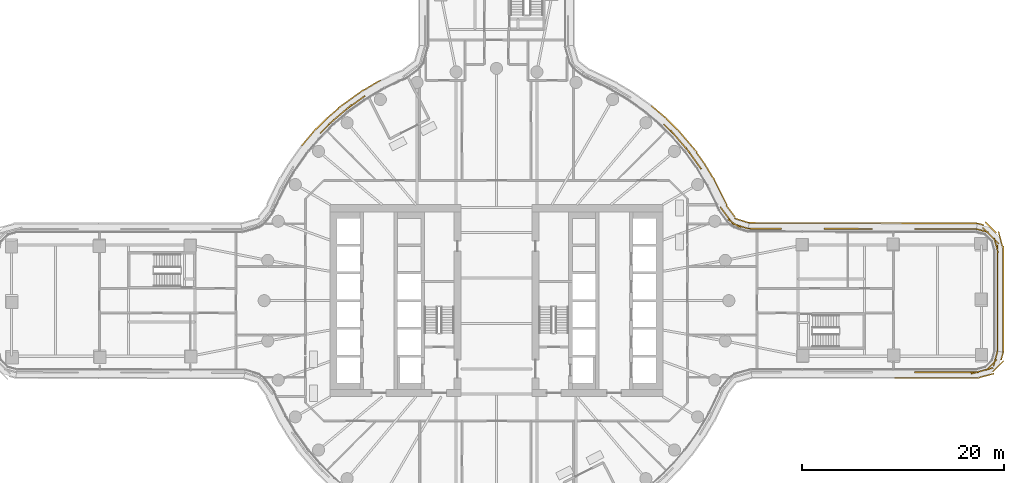
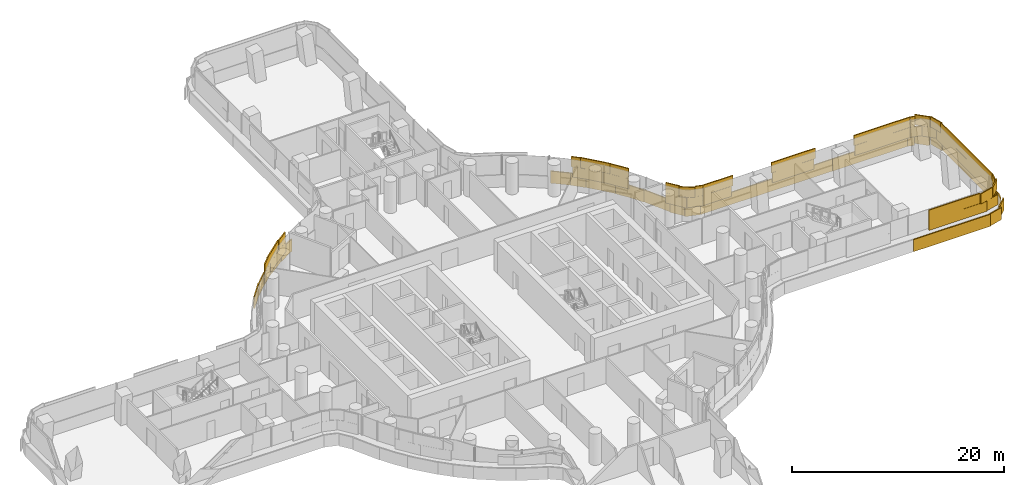
# One storey, part 29 of 32: 6 coverings.
"""IFC4 building model written with IfcOpenShell, lengths in metres."""

from ifc_helpers import new_model, si_unit, direction, frame, origin, origin_2d, place, context, subcontext, project, spatial, rectangle, extrude, material, layer, layer_set, type_object, element, save


model = new_model("IFC4")

# Units and contexts
model_context = context("Model", 3, precision=1e-05, world=origin(), true_north=direction((0.0, 1.0)))
body_context = subcontext(model_context, "Body", "Model", "MODEL_VIEW")
ifc_project = project(units=[si_unit("LENGTHUNIT", "METRE"), si_unit("AREAUNIT", "SQUARE_METRE"), si_unit("VOLUMEUNIT", "CUBIC_METRE"), si_unit("PLANEANGLEUNIT", "RADIAN"), si_unit("MASSUNIT", "GRAM", prefix="KILO")], contexts=[model_context])

# Site, building, storey
site_placement = place(None, origin())
site = spatial("IfcSite", under=ifc_project, at=site_placement, CompositionType="ELEMENT")
building_placement = place(site_placement, origin())
building = spatial("IfcBuilding", under=site, at=building_placement, Name="Tamarind Cross Interchange Tower", CompositionType="ELEMENT")
storey_placement = place(building_placement, frame((0.0, 0.0, 34.0)))
storey = spatial("IfcBuildingStorey", under=building, at=storey_placement, Name="L06", CompositionType="ELEMENT", Elevation=34.0)

# Coverings
ifc_material = material(Name="Terracotta", Category="masonry")
ifc_layer = layer(ifc_material, 0.1201171875)
ifc_layer_set = layer_set([ifc_layer], Name="Terracotta")
covering_type = type_object("IfcCoveringType", Name="Terracotta baguette screen unit", PredefinedType="MOLDING", material=ifc_layer_set)
covering_1_placement = place(storey_placement, origin())
element("IfcCovering", 1, at=covering_1_placement, inside=storey, type_object=covering_type, Name="SCR-L06-08-01", PredefinedType="MOLDING", context=body_context, shape_type="SweptSolid", body=[
    extrude(rectangle(XDim=0.319091796875, YDim=0.1201171875, at=origin_2d()), frame((41.566650390625, -7.090087890625, 1.404052734375), z_axis=(0.0, 0.0, 1.0), x_axis=(1.0, 0.0, 0.0)), (0.0, 0.0, 1.0), 1.1669921875),
    extrude(rectangle(XDim=1.52001953125, YDim=0.1201171875, at=origin_2d()), frame((42.47119140625, -7.090087890625, 1.404052734375), z_axis=(0.0, 0.0, 1.0), x_axis=(1.0, 0.0, 0.0)), (0.0, 0.0, 1.0), 1.1669921875),
    extrude(rectangle(XDim=1.52001953125, YDim=0.1201171875, at=origin_2d()), frame((43.97119140625, -7.090087890625, 1.404052734375), z_axis=(0.0, 0.0, 1.0), x_axis=(1.0, 0.0, 0.0)), (0.0, 0.0, 1.0), 1.1669921875),
    extrude(rectangle(XDim=1.52001953125, YDim=0.1201171875, at=origin_2d()), frame((45.47119140625, -7.090087890625, 1.404052734375), z_axis=(0.0, 0.0, 1.0), x_axis=(1.0, 0.0, 0.0)), (0.0, 0.0, 1.0), 1.1669921875),
    extrude(rectangle(XDim=1.52001953125, YDim=0.1201171875, at=origin_2d()), frame((46.97119140625, -7.090087890625, 1.404052734375), z_axis=(0.0, 0.0, 1.0), x_axis=(1.0, 0.0, 0.0)), (0.0, 0.0, 1.0), 1.1669921875),
    extrude(rectangle(XDim=1.52001953125, YDim=0.1201171875, at=origin_2d()), frame((48.438720703125, -6.84375, 1.404052734375), z_axis=(0.0, 0.0, 1.0), x_axis=(0.965925826289, 0.258819045103, 0.0)), (0.0, 0.0, 1.0), 1.1669921875),
    extrude(rectangle(XDim=1.52001953125, YDim=0.1201171875, at=origin_2d()), frame((49.397216796875, -5.759765625, 1.404052734375), z_axis=(0.0, 0.0, 1.0), x_axis=(0.258819045103, 0.965925826289, 0.0)), (0.0, 0.0, 1.0), 1.1669921875),
    extrude(rectangle(XDim=0.034423828125, YDim=0.1201171875, at=origin_2d()), frame((49.594482421875, -5.023681640625, 1.404052734375), z_axis=(0.0, 0.0, 1.0), x_axis=(0.258819045103, 0.965925826289, 0.0)), (0.0, 0.0, 1.0), 1.1669921875),
    extrude(rectangle(XDim=1.069091796875, YDim=0.1201171875, at=origin_2d()), frame((41.941650390625, -7.090087890625, 2.5791015625), z_axis=(0.0, 0.0, 1.0), x_axis=(1.0, 0.0, 0.0)), (0.0, 0.0, 1.0), 1.1669921875),
    extrude(rectangle(XDim=1.52001953125, YDim=0.1201171875, at=origin_2d()), frame((43.22119140625, -7.090087890625, 2.5791015625), z_axis=(0.0, 0.0, 1.0), x_axis=(1.0, 0.0, 0.0)), (0.0, 0.0, 1.0), 1.1669921875),
    extrude(rectangle(XDim=1.52001953125, YDim=0.1201171875, at=origin_2d()), frame((44.72119140625, -7.090087890625, 2.5791015625), z_axis=(0.0, 0.0, 1.0), x_axis=(1.0, 0.0, 0.0)), (0.0, 0.0, 1.0), 1.1669921875),
    extrude(rectangle(XDim=1.52001953125, YDim=0.1201171875, at=origin_2d()), frame((46.22119140625, -7.090087890625, 2.5791015625), z_axis=(0.0, 0.0, 1.0), x_axis=(1.0, 0.0, 0.0)), (0.0, 0.0, 1.0), 1.1669921875),
    extrude(rectangle(XDim=1.52001953125, YDim=0.1201171875, at=origin_2d()), frame((47.71435546875, -7.037841796875, 2.5791015625), z_axis=(0.0, 0.0, 1.0), x_axis=(0.965925826289, 0.258819045103, 0.0)), (0.0, 0.0, 1.0), 1.1669921875),
    extrude(rectangle(XDim=1.52001953125, YDim=0.1201171875, at=origin_2d()), frame((49.0, -6.366943359375, 2.5791015625), z_axis=(0.0, 0.0, 1.0), x_axis=(0.707106781187, 0.707106781187, 0.0)), (0.0, 0.0, 1.0), 1.1669921875),
    extrude(rectangle(XDim=0.784423828125, YDim=0.1201171875, at=origin_2d()), frame((49.497314453125, -5.3857421875, 2.5791015625), z_axis=(0.0, 0.0, 1.0), x_axis=(0.258819045103, 0.965925826289, 0.0)), (0.0, 0.0, 1.0), 1.1669921875),
    extrude(rectangle(XDim=0.921142578125, YDim=0.1201171875, at=origin_2d()), frame((39.84912109375, -7.6640625, 0.00390625), z_axis=(0.0, 0.0, 1.0), x_axis=(1.0, 0.0, 0.0)), (0.0, 0.0, 1.0), 1.39208984375),
    extrude(rectangle(XDim=1.52001953125, YDim=0.1201171875, at=origin_2d()), frame((41.0498046875, -7.6640625, 0.00390625), z_axis=(0.0, 0.0, 1.0), x_axis=(1.0, 0.0, 0.0)), (0.0, 0.0, 1.0), 1.39208984375),
    extrude(rectangle(XDim=1.52001953125, YDim=0.1201171875, at=origin_2d()), frame((42.5498046875, -7.6640625, 0.00390625), z_axis=(0.0, 0.0, 1.0), x_axis=(1.0, 0.0, 0.0)), (0.0, 0.0, 1.0), 1.39208984375),
    extrude(rectangle(XDim=1.52001953125, YDim=0.1201171875, at=origin_2d()), frame((44.0498046875, -7.6640625, 0.00390625), z_axis=(0.0, 0.0, 1.0), x_axis=(1.0, 0.0, 0.0)), (0.0, 0.0, 1.0), 1.39208984375),
    extrude(rectangle(XDim=1.52001953125, YDim=0.1201171875, at=origin_2d()), frame((45.5498046875, -7.6640625, 0.00390625), z_axis=(0.0, 0.0, 1.0), x_axis=(1.0, 0.0, 0.0)), (0.0, 0.0, 1.0), 1.39208984375),
    extrude(rectangle(XDim=1.52001953125, YDim=0.1201171875, at=origin_2d()), frame((47.0498046875, -7.6640625, 0.00390625), z_axis=(0.0, 0.0, 1.0), x_axis=(1.0, 0.0, 0.0)), (0.0, 0.0, 1.0), 1.39208984375),
    extrude(rectangle(XDim=1.52001953125, YDim=0.1201171875, at=origin_2d()), frame((48.51708984375, -7.4169921875, 0.00390625), z_axis=(0.0, 0.0, 1.0), x_axis=(0.965925826289, 0.258819045103, 0.0)), (0.0, 0.0, 1.0), 1.39208984375),
    extrude(rectangle(XDim=1.52001953125, YDim=0.1201171875, at=origin_2d()), frame((49.66748046875, -6.51123046875, 0.00390625), z_axis=(0.0, 0.0, 1.0), x_axis=(0.707106781187, 0.707106781187, 0.0)), (0.0, 0.0, 1.0), 1.39208984375),
    extrude(rectangle(XDim=0.797607421875, YDim=0.1201171875, at=origin_2d()), frame((50.068359375, -5.47265625, 0.00390625), z_axis=(0.0, 0.0, 1.0), x_axis=(0.258819045103, 0.965925826289, 0.0)), (0.0, 0.0, 1.0), 1.39208984375),
])
covering_2_placement = place(storey_placement, origin())
element("IfcCovering", 2, at=covering_2_placement, inside=storey, type_object=covering_type, Name="SCR-L06-09-00", PredefinedType="MOLDING", context=body_context, shape_type="SweptSolid", body=[
    extrude(rectangle(XDim=1.510009765625, YDim=0.1201171875, at=origin_2d()), frame((49.59765625, -4.261962890625, 1.404052734375), z_axis=(0.0, 0.0, 1.0), x_axis=(0.0, 1.0, 0.0)), (0.0, 0.0, 1.0), 1.1669921875),
    extrude(rectangle(XDim=1.52001953125, YDim=0.1201171875, at=origin_2d()), frame((49.59765625, -2.761962890625, 1.404052734375), z_axis=(0.0, 0.0, 1.0), x_axis=(0.0, 1.0, 0.0)), (0.0, 0.0, 1.0), 1.1669921875),
    extrude(rectangle(XDim=1.52001953125, YDim=0.1201171875, at=origin_2d()), frame((49.59765625, -1.261962890625, 1.404052734375), z_axis=(0.0, 0.0, 1.0), x_axis=(0.0, 1.0, 0.0)), (0.0, 0.0, 1.0), 1.1669921875),
    extrude(rectangle(XDim=1.52001953125, YDim=0.1201171875, at=origin_2d()), frame((49.59765625, 0.238037109375, 1.404052734375), z_axis=(0.0, 0.0, 1.0), x_axis=(0.0, 1.0, 0.0)), (0.0, 0.0, 1.0), 1.1669921875),
    extrude(rectangle(XDim=1.52001953125, YDim=0.1201171875, at=origin_2d()), frame((49.59765625, 1.738037109375, 1.404052734375), z_axis=(0.0, 0.0, 1.0), x_axis=(0.0, 1.0, 0.0)), (0.0, 0.0, 1.0), 1.1669921875),
    extrude(rectangle(XDim=1.52001953125, YDim=0.1201171875, at=origin_2d()), frame((49.59765625, 3.238037109375, 1.404052734375), z_axis=(0.0, 0.0, 1.0), x_axis=(0.0, 1.0, 0.0)), (0.0, 0.0, 1.0), 1.1669921875),
    extrude(rectangle(XDim=1.52001953125, YDim=0.1201171875, at=origin_2d()), frame((49.59765625, 4.738037109375, 1.404052734375), z_axis=(0.0, 0.0, 1.0), x_axis=(0.0, 1.0, 0.0)), (0.0, 0.0, 1.0), 1.1669921875),
    extrude(rectangle(XDim=1.52001953125, YDim=0.1201171875, at=origin_2d()), frame((49.210693359375, 6.15625, 1.404052734375), z_axis=(0.0, 0.0, 1.0), x_axis=(-0.707106781187, 0.707106781187, 0.0)), (0.0, 0.0, 1.0), 1.1669921875),
    extrude(rectangle(XDim=1.259521484375, YDim=0.1201171875, at=origin_2d()), frame((48.123046875, 6.92822265625, 1.404052734375), z_axis=(0.0, 0.0, 1.0), x_axis=(-0.965925826289, 0.258819045103, 0.0)), (0.0, 0.0, 1.0), 1.1669921875),
    extrude(rectangle(XDim=0.760009765625, YDim=0.1201171875, at=origin_2d()), frame((49.59765625, -4.636962890625, 2.5791015625), z_axis=(0.0, 0.0, 1.0), x_axis=(0.0, 1.0, 0.0)), (0.0, 0.0, 1.0), 1.1669921875),
    extrude(rectangle(XDim=1.52001953125, YDim=0.1201171875, at=origin_2d()), frame((49.59765625, -3.511962890625, 2.5791015625), z_axis=(0.0, 0.0, 1.0), x_axis=(0.0, 1.0, 0.0)), (0.0, 0.0, 1.0), 1.1669921875),
    extrude(rectangle(XDim=1.52001953125, YDim=0.1201171875, at=origin_2d()), frame((49.59765625, -2.011962890625, 2.5791015625), z_axis=(0.0, 0.0, 1.0), x_axis=(0.0, 1.0, 0.0)), (0.0, 0.0, 1.0), 1.1669921875),
    extrude(rectangle(XDim=1.52001953125, YDim=0.1201171875, at=origin_2d()), frame((49.59765625, -0.511962890625, 2.5791015625), z_axis=(0.0, 0.0, 1.0), x_axis=(0.0, 1.0, 0.0)), (0.0, 0.0, 1.0), 1.1669921875),
    extrude(rectangle(XDim=1.52001953125, YDim=0.1201171875, at=origin_2d()), frame((49.59765625, 0.988037109375, 2.5791015625), z_axis=(0.0, 0.0, 1.0), x_axis=(0.0, 1.0, 0.0)), (0.0, 0.0, 1.0), 1.1669921875),
    extrude(rectangle(XDim=1.52001953125, YDim=0.1201171875, at=origin_2d()), frame((49.59765625, 2.488037109375, 2.5791015625), z_axis=(0.0, 0.0, 1.0), x_axis=(0.0, 1.0, 0.0)), (0.0, 0.0, 1.0), 1.1669921875),
    extrude(rectangle(XDim=1.52001953125, YDim=0.1201171875, at=origin_2d()), frame((49.59765625, 3.988037109375, 2.5791015625), z_axis=(0.0, 0.0, 1.0), x_axis=(0.0, 1.0, 0.0)), (0.0, 0.0, 1.0), 1.1669921875),
    extrude(rectangle(XDim=1.52001953125, YDim=0.1201171875, at=origin_2d()), frame((49.474365234375, 5.471923828125, 2.5791015625), z_axis=(0.0, 0.0, 1.0), x_axis=(-0.258819045103, 0.965925826289, 0.0)), (0.0, 0.0, 1.0), 1.1669921875),
    extrude(rectangle(XDim=1.52001953125, YDim=0.1201171875, at=origin_2d()), frame((48.680419921875, 6.6865234375, 2.5791015625), z_axis=(0.0, 0.0, 1.0), x_axis=(-0.707106781187, 0.707106781187, 0.0)), (0.0, 0.0, 1.0), 1.1669921875),
    extrude(rectangle(XDim=0.509521484375, YDim=0.1201171875, at=origin_2d()), frame((47.7607421875, 7.025390625, 2.5791015625), z_axis=(0.0, 0.0, 1.0), x_axis=(-0.965925826289, 0.258819045103, 0.0)), (0.0, 0.0, 1.0), 1.1669921875),
    extrude(rectangle(XDim=1.510009765625, YDim=0.1201171875, at=origin_2d()), frame((50.171630859375, -4.33251953125, 0.00390625), z_axis=(0.0, 0.0, 1.0), x_axis=(0.0, 1.0, 0.0)), (0.0, 0.0, 1.0), 1.39208984375),
    extrude(rectangle(XDim=1.52001953125, YDim=0.1201171875, at=origin_2d()), frame((50.171630859375, -2.83740234375, 0.00390625), z_axis=(0.0, 0.0, 1.0), x_axis=(0.0, 1.0, 0.0)), (0.0, 0.0, 1.0), 1.39208984375),
    extrude(rectangle(XDim=1.52001953125, YDim=0.1201171875, at=origin_2d()), frame((50.171630859375, -1.33740234375, 0.00390625), z_axis=(0.0, 0.0, 1.0), x_axis=(0.0, 1.0, 0.0)), (0.0, 0.0, 1.0), 1.39208984375),
    extrude(rectangle(XDim=1.52001953125, YDim=0.1201171875, at=origin_2d()), frame((50.171630859375, 0.16259765625, 0.00390625), z_axis=(0.0, 0.0, 1.0), x_axis=(0.0, 1.0, 0.0)), (0.0, 0.0, 1.0), 1.39208984375),
    extrude(rectangle(XDim=1.52001953125, YDim=0.1201171875, at=origin_2d()), frame((50.171630859375, 1.66259765625, 0.00390625), z_axis=(0.0, 0.0, 1.0), x_axis=(0.0, 1.0, 0.0)), (0.0, 0.0, 1.0), 1.39208984375),
    extrude(rectangle(XDim=1.52001953125, YDim=0.1201171875, at=origin_2d()), frame((50.171630859375, 3.16259765625, 0.00390625), z_axis=(0.0, 0.0, 1.0), x_axis=(0.0, 1.0, 0.0)), (0.0, 0.0, 1.0), 1.39208984375),
    extrude(rectangle(XDim=1.52001953125, YDim=0.1201171875, at=origin_2d()), frame((50.171630859375, 4.66259765625, 0.00390625), z_axis=(0.0, 0.0, 1.0), x_axis=(0.0, 1.0, 0.0)), (0.0, 0.0, 1.0), 1.39208984375),
    extrude(rectangle(XDim=1.52001953125, YDim=0.1201171875, at=origin_2d()), frame((49.893310546875, 6.1259765625, 0.00390625), z_axis=(0.0, 0.0, 1.0), x_axis=(-0.258819045103, 0.965925826289, 0.0)), (0.0, 0.0, 1.0), 1.39208984375),
    extrude(rectangle(XDim=1.52001953125, YDim=0.1201171875, at=origin_2d()), frame((48.93359375, 7.244873046875, 0.00390625), z_axis=(0.0, 0.0, 1.0), x_axis=(-0.707106781187, 0.707106781187, 0.0)), (0.0, 0.0, 1.0), 1.39208984375),
    extrude(rectangle(XDim=0.676513671875, YDim=0.1201171875, at=origin_2d()), frame((47.92236328125, 7.576171875, 0.00390625), z_axis=(0.0, 0.0, 1.0), x_axis=(-0.965925826289, 0.258819045103, 0.0)), (0.0, 0.0, 1.0), 1.39208984375),
])
covering_3_placement = place(storey_placement, origin())
element("IfcCovering", 3, at=covering_3_placement, inside=storey, type_object=covering_type, Name="SCR-L06-10-00", PredefinedType="MOLDING", context=body_context, shape_type="SweptSolid", body=[
    extrude(rectangle(XDim=1.510009765625, YDim=0.1201171875, at=origin_2d()), frame((46.76953125, 7.091552734375, 1.404052734375), z_axis=(0.0, 0.0, 1.0), x_axis=(-0.999998075717, 0.00196177549, 0.0)), (0.0, 0.0, 1.0), 1.1669921875),
    extrude(rectangle(XDim=1.52001953125, YDim=0.1201171875, at=origin_2d()), frame((45.26953125, 7.094482421875, 1.404052734375), z_axis=(0.0, 0.0, 1.0), x_axis=(-0.999998075717, 0.00196177549, 0.0)), (0.0, 0.0, 1.0), 1.1669921875),
    extrude(rectangle(XDim=1.52001953125, YDim=0.1201171875, at=origin_2d()), frame((43.76953125, 7.097412109375, 1.404052734375), z_axis=(0.0, 0.0, 1.0), x_axis=(-0.999998075717, 0.00196177549, 0.0)), (0.0, 0.0, 1.0), 1.1669921875),
    extrude(rectangle(XDim=1.52001953125, YDim=0.1201171875, at=origin_2d()), frame((42.26953125, 7.100341796875, 1.404052734375), z_axis=(0.0, 0.0, 1.0), x_axis=(-0.999998075717, 0.00196177549, 0.0)), (0.0, 0.0, 1.0), 1.1669921875),
    extrude(rectangle(XDim=0.760009765625, YDim=0.1201171875, at=origin_2d()), frame((47.14453125, 7.0908203125, 2.5791015625), z_axis=(0.0, 0.0, 1.0), x_axis=(-0.999998075717, 0.00196177549, 0.0)), (0.0, 0.0, 1.0), 1.1669921875),
    extrude(rectangle(XDim=1.52001953125, YDim=0.1201171875, at=origin_2d()), frame((46.01953125, 7.093017578125, 2.5791015625), z_axis=(0.0, 0.0, 1.0), x_axis=(-0.999998075717, 0.00196177549, 0.0)), (0.0, 0.0, 1.0), 1.1669921875),
    extrude(rectangle(XDim=1.52001953125, YDim=0.1201171875, at=origin_2d()), frame((44.51953125, 7.095947265625, 2.5791015625), z_axis=(0.0, 0.0, 1.0), x_axis=(-0.999998075717, 0.00196177549, 0.0)), (0.0, 0.0, 1.0), 1.1669921875),
    extrude(rectangle(XDim=1.52001953125, YDim=0.1201171875, at=origin_2d()), frame((43.01953125, 7.098876953125, 2.5791015625), z_axis=(0.0, 0.0, 1.0), x_axis=(-0.999998075717, 0.00196177549, 0.0)), (0.0, 0.0, 1.0), 1.1669921875),
    extrude(rectangle(XDim=0.866943359375, YDim=0.1201171875, at=origin_2d()), frame((41.841064453125, 7.10107421875, 2.5791015625), z_axis=(0.0, 0.0, 1.0), x_axis=(-0.999998075717, 0.00196177549, 0.0)), (0.0, 0.0, 1.0), 1.1669921875),
    extrude(rectangle(XDim=1.510009765625, YDim=0.1201171875, at=origin_2d()), frame((46.840576171875, 7.665283203125, 0.00390625), z_axis=(0.0, 0.0, 1.0), x_axis=(-0.999998075717, 0.00196177549, 0.0)), (0.0, 0.0, 1.0), 1.39208984375),
    extrude(rectangle(XDim=1.52001953125, YDim=0.1201171875, at=origin_2d()), frame((45.345703125, 7.668212890625, 0.00390625), z_axis=(0.0, 0.0, 1.0), x_axis=(-0.999998075717, 0.00196177549, 0.0)), (0.0, 0.0, 1.0), 1.39208984375),
    extrude(rectangle(XDim=1.52001953125, YDim=0.1201171875, at=origin_2d()), frame((43.845703125, 7.671142578125, 0.00390625), z_axis=(0.0, 0.0, 1.0), x_axis=(-0.999998075717, 0.00196177549, 0.0)), (0.0, 0.0, 1.0), 1.39208984375),
    extrude(rectangle(XDim=1.52001953125, YDim=0.1201171875, at=origin_2d()), frame((42.345703125, 7.674072265625, 0.00390625), z_axis=(0.0, 0.0, 1.0), x_axis=(-0.999998075717, 0.00196177549, 0.0)), (0.0, 0.0, 1.0), 1.39208984375),
    extrude(rectangle(XDim=1.52001953125, YDim=0.1201171875, at=origin_2d()), frame((40.845703125, 7.677001953125, 0.00390625), z_axis=(0.0, 0.0, 1.0), x_axis=(-0.999998075717, 0.00196177549, 0.0)), (0.0, 0.0, 1.0), 1.39208984375),
    extrude(rectangle(XDim=0.712890625, YDim=0.1201171875, at=origin_2d()), frame((39.749267578125, 7.67919921875, 0.00390625), z_axis=(0.0, 0.0, 1.0), x_axis=(-0.999998075717, 0.00196177549, 0.0)), (0.0, 0.0, 1.0), 1.39208984375),
])
covering_4_placement = place(storey_placement, origin())
element("IfcCovering", 4, at=covering_4_placement, inside=storey, type_object=covering_type, Name="SCR-L06-10-01", PredefinedType="MOLDING", context=body_context, shape_type="SweptSolid", body=[
    extrude(rectangle(XDim=1.52001953125, YDim=0.1201171875, at=origin_2d()), frame((36.26953125, 7.112060546875, 1.404052734375), z_axis=(0.0, 0.0, 1.0), x_axis=(-0.999998075717, 0.00196177549, 0.0)), (0.0, 0.0, 1.0), 1.1669921875),
    extrude(rectangle(XDim=1.52001953125, YDim=0.1201171875, at=origin_2d()), frame((34.76953125, 7.114990234375, 1.404052734375), z_axis=(0.0, 0.0, 1.0), x_axis=(-0.999998075717, 0.00196177549, 0.0)), (0.0, 0.0, 1.0), 1.1669921875),
    extrude(rectangle(XDim=1.52001953125, YDim=0.1201171875, at=origin_2d()), frame((33.26953125, 7.117919921875, 1.404052734375), z_axis=(0.0, 0.0, 1.0), x_axis=(-0.999998075717, 0.00196177549, 0.0)), (0.0, 0.0, 1.0), 1.1669921875),
    extrude(rectangle(XDim=1.52001953125, YDim=0.1201171875, at=origin_2d()), frame((27.26953125, 7.129638671875, 1.404052734375), z_axis=(0.0, 0.0, 1.0), x_axis=(-0.999998075717, 0.00196177549, 0.0)), (0.0, 0.0, 1.0), 1.1669921875),
    extrude(rectangle(XDim=1.52001953125, YDim=0.1201171875, at=origin_2d()), frame((25.76953125, 7.132568359375, 1.404052734375), z_axis=(0.0, 0.0, 1.0), x_axis=(-0.999998075717, 0.00196177549, 0.0)), (0.0, 0.0, 1.0), 1.1669921875),
    extrude(rectangle(XDim=0.1005859375, YDim=0.1201171875, at=origin_2d()), frame((24.97412109375, 7.13427734375, 1.404052734375), z_axis=(0.0, 0.0, 1.0), x_axis=(-0.999998075717, 0.00196177549, 0.0)), (0.0, 0.0, 1.0), 1.1669921875),
    extrude(rectangle(XDim=0.953125, YDim=0.1201171875, at=origin_2d()), frame((36.740966796875, 7.111083984375, 2.5791015625), z_axis=(0.0, 0.0, 1.0), x_axis=(-0.999998075717, 0.00196177549, 0.0)), (0.0, 0.0, 1.0), 1.1669921875),
    extrude(rectangle(XDim=1.52001953125, YDim=0.1201171875, at=origin_2d()), frame((35.51953125, 7.113525390625, 2.5791015625), z_axis=(0.0, 0.0, 1.0), x_axis=(-0.999998075717, 0.00196177549, 0.0)), (0.0, 0.0, 1.0), 1.1669921875),
    extrude(rectangle(XDim=1.52001953125, YDim=0.1201171875, at=origin_2d()), frame((34.01953125, 7.116455078125, 2.5791015625), z_axis=(0.0, 0.0, 1.0), x_axis=(-0.999998075717, 0.00196177549, 0.0)), (0.0, 0.0, 1.0), 1.1669921875),
    extrude(rectangle(XDim=0.8662109375, YDim=0.1201171875, at=origin_2d()), frame((32.841552734375, 7.11865234375, 2.5791015625), z_axis=(0.0, 0.0, 1.0), x_axis=(-0.999998075717, 0.00196177549, 0.0)), (0.0, 0.0, 1.0), 1.1669921875),
    extrude(rectangle(XDim=0.953857421875, YDim=0.1201171875, at=origin_2d()), frame((27.741455078125, 7.128662109375, 2.5791015625), z_axis=(0.0, 0.0, 1.0), x_axis=(-0.999998075717, 0.00196177549, 0.0)), (0.0, 0.0, 1.0), 1.1669921875),
    extrude(rectangle(XDim=1.52001953125, YDim=0.1201171875, at=origin_2d()), frame((26.51953125, 7.131103515625, 2.5791015625), z_axis=(0.0, 0.0, 1.0), x_axis=(-0.999998075717, 0.00196177549, 0.0)), (0.0, 0.0, 1.0), 1.1669921875),
    extrude(rectangle(XDim=0.8505859375, YDim=0.1201171875, at=origin_2d()), frame((25.34912109375, 7.133544921875, 2.5791015625), z_axis=(0.0, 0.0, 1.0), x_axis=(-0.999998075717, 0.00196177549, 0.0)), (0.0, 0.0, 1.0), 1.1669921875),
    extrude(rectangle(XDim=0.80712890625, YDim=0.1201171875, at=origin_2d()), frame((38.9892578125, 7.6806640625, 0.00390625), z_axis=(0.0, 0.0, 1.0), x_axis=(-0.999998075717, 0.00196177549, 0.0)), (0.0, 0.0, 1.0), 1.39208984375),
    extrude(rectangle(XDim=1.52001953125, YDim=0.1201171875, at=origin_2d()), frame((37.845703125, 7.682861328125, 0.00390625), z_axis=(0.0, 0.0, 1.0), x_axis=(-0.999998075717, 0.00196177549, 0.0)), (0.0, 0.0, 1.0), 1.39208984375),
    extrude(rectangle(XDim=1.52001953125, YDim=0.1201171875, at=origin_2d()), frame((36.345703125, 7.685791015625, 0.00390625), z_axis=(0.0, 0.0, 1.0), x_axis=(-0.999998075717, 0.00196177549, 0.0)), (0.0, 0.0, 1.0), 1.39208984375),
    extrude(rectangle(XDim=1.52001953125, YDim=0.1201171875, at=origin_2d()), frame((34.845703125, 7.688720703125, 0.00390625), z_axis=(0.0, 0.0, 1.0), x_axis=(-0.999998075717, 0.00196177549, 0.0)), (0.0, 0.0, 1.0), 1.39208984375),
    extrude(rectangle(XDim=1.52001953125, YDim=0.1201171875, at=origin_2d()), frame((33.345703125, 7.69189453125, 0.00390625), z_axis=(0.0, 0.0, 1.0), x_axis=(-0.999998075717, 0.00196177549, 0.0)), (0.0, 0.0, 1.0), 1.39208984375),
    extrude(rectangle(XDim=1.52001953125, YDim=0.1201171875, at=origin_2d()), frame((31.845703125, 7.69482421875, 0.00390625), z_axis=(0.0, 0.0, 1.0), x_axis=(-0.999998075717, 0.00196177549, 0.0)), (0.0, 0.0, 1.0), 1.39208984375),
    extrude(rectangle(XDim=1.52001953125, YDim=0.1201171875, at=origin_2d()), frame((30.345703125, 7.69775390625, 0.00390625), z_axis=(0.0, 0.0, 1.0), x_axis=(-0.999998075717, 0.00196177549, 0.0)), (0.0, 0.0, 1.0), 1.39208984375),
    extrude(rectangle(XDim=1.52001953125, YDim=0.1201171875, at=origin_2d()), frame((28.845703125, 7.70068359375, 0.00390625), z_axis=(0.0, 0.0, 1.0), x_axis=(-0.999998075717, 0.00196177549, 0.0)), (0.0, 0.0, 1.0), 1.39208984375),
    extrude(rectangle(XDim=1.52001953125, YDim=0.1201171875, at=origin_2d()), frame((27.345703125, 7.70361328125, 0.00390625), z_axis=(0.0, 0.0, 1.0), x_axis=(-0.999998075717, 0.00196177549, 0.0)), (0.0, 0.0, 1.0), 1.39208984375),
    extrude(rectangle(XDim=1.52001953125, YDim=0.1201171875, at=origin_2d()), frame((25.845703125, 7.70654296875, 0.00390625), z_axis=(0.0, 0.0, 1.0), x_axis=(-0.999998075717, 0.00196177549, 0.0)), (0.0, 0.0, 1.0), 1.39208984375),
    extrude(rectangle(XDim=0.089599609375, YDim=0.1201171875, at=origin_2d()), frame((25.060791015625, 7.7080078125, 0.00390625), z_axis=(0.0, 0.0, 1.0), x_axis=(-0.999998075717, 0.00196177549, 0.0)), (0.0, 0.0, 1.0), 1.39208984375),
])
covering_5_placement = place(storey_placement, origin())
element("IfcCovering", 5, at=covering_5_placement, inside=storey, type_object=covering_type, Name="SCR-L06-11-00", PredefinedType="MOLDING", context=body_context, shape_type="SweptSolid", body=[
    extrude(rectangle(XDim=1.510009765625, YDim=0.1201171875, at=origin_2d()), frame((24.21240234375, 7.355712890625, 1.404052734375), z_axis=(0.0, 0.0, 1.0), x_axis=(-0.955427639853, 0.295225380016, 0.0)), (0.0, 0.0, 1.0), 1.1669921875),
    extrude(rectangle(XDim=1.52001953125, YDim=0.1201171875, at=origin_2d()), frame((22.99560546875, 8.15234375, 1.404052734375), z_axis=(0.0, 0.0, 1.0), x_axis=(-0.600597882554, 0.799551238803, 0.0)), (0.0, 0.0, 1.0), 1.1669921875),
    extrude(rectangle(XDim=0.657958984375, YDim=0.1201171875, at=origin_2d()), frame((22.3505859375, 9.01123046875, 1.404052734375), z_axis=(0.0, 0.0, 1.0), x_axis=(-0.600597882554, 0.799551238803, 0.0)), (0.0, 0.0, 1.0), 1.1669921875),
    extrude(rectangle(XDim=1.162109375, YDim=0.1201171875, at=origin_2d()), frame((19.93994140625, 13.492431640625, 1.404052734375), z_axis=(0.0, 0.0, 1.0), x_axis=(-0.584573890505, 0.811340475102, 0.0)), (0.0, 0.0, 1.0), 1.1669921875),
    extrude(rectangle(XDim=1.52001953125, YDim=0.1201171875, at=origin_2d()), frame((19.164794921875, 14.568359375, 1.404052734375), z_axis=(0.0, 0.0, 1.0), x_axis=(-0.584573890505, 0.811340475102, 0.0)), (0.0, 0.0, 1.0), 1.1669921875),
    extrude(rectangle(XDim=1.52001953125, YDim=0.1201171875, at=origin_2d()), frame((18.215087890625, 15.72802734375, 1.404052734375), z_axis=(0.0, 0.0, 1.0), x_axis=(-0.64957723968, 0.760295606781, 0.0)), (0.0, 0.0, 1.0), 1.1669921875),
    extrude(rectangle(XDim=1.52001953125, YDim=0.1201171875, at=origin_2d()), frame((17.20263671875, 16.8330078125, 1.404052734375), z_axis=(0.0, 0.0, 1.0), x_axis=(-0.710143317658, 0.704057148523, 0.0)), (0.0, 0.0, 1.0), 1.1669921875),
    extrude(rectangle(XDim=0.760009765625, YDim=0.1201171875, at=origin_2d()), frame((24.570556640625, 7.2451171875, 2.5791015625), z_axis=(0.0, 0.0, 1.0), x_axis=(-0.955427639853, 0.295225380016, 0.0)), (0.0, 0.0, 1.0), 1.1669921875),
    extrude(rectangle(XDim=1.52001953125, YDim=0.1201171875, at=origin_2d()), frame((23.522705078125, 7.633056640625, 2.5791015625), z_axis=(0.0, 0.0, 1.0), x_axis=(-0.825683949998, 0.564132976093, 0.0)), (0.0, 0.0, 1.0), 1.1669921875),
    extrude(rectangle(XDim=1.407958984375, YDim=0.1201171875, at=origin_2d()), frame((22.57568359375, 8.71142578125, 2.5791015625), z_axis=(0.0, 0.0, 1.0), x_axis=(-0.600597882554, 0.799551238803, 0.0)), (0.0, 0.0, 1.0), 1.1669921875),
    extrude(rectangle(XDim=0.412109375, YDim=0.1201171875, at=origin_2d()), frame((20.153076171875, 13.18408203125, 2.5791015625), z_axis=(0.0, 0.0, 1.0), x_axis=(-0.515577308909, 0.856843065292, 0.0)), (0.0, 0.0, 1.0), 1.1669921875),
    extrude(rectangle(XDim=1.52001953125, YDim=0.1201171875, at=origin_2d()), frame((19.603271484375, 13.959716796875, 2.5791015625), z_axis=(0.0, 0.0, 1.0), x_axis=(-0.584573890505, 0.811340475102, 0.0)), (0.0, 0.0, 1.0), 1.1669921875),
    extrude(rectangle(XDim=1.52001953125, YDim=0.1201171875, at=origin_2d()), frame((18.7021484375, 15.157958984375, 2.5791015625), z_axis=(0.0, 0.0, 1.0), x_axis=(-0.64957723968, 0.760295606781, 0.0)), (0.0, 0.0, 1.0), 1.1669921875),
    extrude(rectangle(XDim=1.52001953125, YDim=0.1201171875, at=origin_2d()), frame((17.727783203125, 16.29833984375, 2.5791015625), z_axis=(0.0, 0.0, 1.0), x_axis=(-0.64957723968, 0.760295606781, 0.0)), (0.0, 0.0, 1.0), 1.1669921875),
    extrude(rectangle(XDim=0.91357421875, YDim=0.1201171875, at=origin_2d()), frame((16.8818359375, 17.151123046875, 2.5791015625), z_axis=(0.0, 0.0, 1.0), x_axis=(-0.710143317658, 0.704057148523, 0.0)), (0.0, 0.0, 1.0), 1.1669921875),
    extrude(rectangle(XDim=1.510009765625, YDim=0.1201171875, at=origin_2d()), frame((24.294677734375, 7.930908203125, 0.00390625), z_axis=(0.0, 0.0, 1.0), x_axis=(-0.955427639853, 0.295225380016, 0.0)), (0.0, 0.0, 1.0), 1.39208984375),
    extrude(rectangle(XDim=1.52001953125, YDim=0.1201171875, at=origin_2d()), frame((23.184814453125, 8.856201171875, 0.00390625), z_axis=(0.0, 0.0, 1.0), x_axis=(-0.600597882554, 0.799551238803, 0.0)), (0.0, 0.0, 1.0), 1.39208984375),
    extrude(rectangle(XDim=1.52001953125, YDim=0.1201171875, at=origin_2d()), frame((22.4638671875, 10.158447265625, 0.00390625), z_axis=(0.0, 0.0, 1.0), x_axis=(-0.443058811505, 0.896492548518, 0.0)), (0.0, 0.0, 1.0), 1.39208984375),
    extrude(rectangle(XDim=1.52001953125, YDim=0.1201171875, at=origin_2d()), frame((21.79931640625, 11.503173828125, 0.00390625), z_axis=(0.0, 0.0, 1.0), x_axis=(-0.443058811505, 0.896492548518, 0.0)), (0.0, 0.0, 1.0), 1.39208984375),
    extrude(rectangle(XDim=1.52001953125, YDim=0.1201171875, at=origin_2d()), frame((21.052490234375, 12.802734375, 0.00390625), z_axis=(0.0, 0.0, 1.0), x_axis=(-0.515577308909, 0.856843065292, 0.0)), (0.0, 0.0, 1.0), 1.39208984375),
    extrude(rectangle(XDim=1.52001953125, YDim=0.1201171875, at=origin_2d()), frame((20.23779296875, 14.06103515625, 0.00390625), z_axis=(0.0, 0.0, 1.0), x_axis=(-0.584573890505, 0.811340475102, 0.0)), (0.0, 0.0, 1.0), 1.39208984375),
    extrude(rectangle(XDim=1.52001953125, YDim=0.1201171875, at=origin_2d()), frame((19.357177734375, 15.27490234375, 0.00390625), z_axis=(0.0, 0.0, 1.0), x_axis=(-0.64957723968, 0.760295606781, 0.0)), (0.0, 0.0, 1.0), 1.39208984375),
    extrude(rectangle(XDim=1.52001953125, YDim=0.1201171875, at=origin_2d()), frame((18.3828125, 16.415283203125, 0.00390625), z_axis=(0.0, 0.0, 1.0), x_axis=(-0.64957723968, 0.760295606781, 0.0)), (0.0, 0.0, 1.0), 1.39208984375),
    extrude(rectangle(XDim=1.52001953125, YDim=0.1201171875, at=origin_2d()), frame((17.3466796875, 17.49853515625, 0.00390625), z_axis=(0.0, 0.0, 1.0), x_axis=(-0.710143317658, 0.704057148523, 0.0)), (0.0, 0.0, 1.0), 1.39208984375),
    extrude(rectangle(XDim=1.52001953125, YDim=0.1201171875, at=origin_2d()), frame((16.254638671875, 18.525146484375, 0.00390625), z_axis=(0.0, 0.0, 1.0), x_axis=(-0.765858396687, 0.643009266048, 0.0)), (0.0, 0.0, 1.0), 1.39208984375),
    extrude(rectangle(XDim=0.460205078125, YDim=0.1201171875, at=origin_2d()), frame((15.511474609375, 19.14892578125, 0.00390625), z_axis=(0.0, 0.0, 1.0), x_axis=(-0.765858396687, 0.643009266048, 0.0)), (0.0, 0.0, 1.0), 1.39208984375),
])
covering_6_placement = place(storey_placement, origin())
element("IfcCovering", 6, at=covering_6_placement, inside=storey, type_object=covering_type, Name="SCR-L06-15-01", PredefinedType="MOLDING", context=body_context, shape_type="SweptSolid", body=[
    extrude(rectangle(XDim=0.869384765625, YDim=0.1201171875, at=origin_2d()), frame((-13.37353515625, 20.025634765625, 1.404052734375), z_axis=(0.0, 0.0, 1.0), x_axis=(-0.811340475102, -0.584573890505, 0.0)), (0.0, 0.0, 1.0), 1.1669921875),
    extrude(rectangle(XDim=1.52001953125, YDim=0.1201171875, at=origin_2d()), frame((-14.330810546875, 19.3359375, 1.404052734375), z_axis=(0.0, 0.0, 1.0), x_axis=(-0.811340475102, -0.584573890505, 0.0)), (0.0, 0.0, 1.0), 1.1669921875),
    extrude(rectangle(XDim=1.52001953125, YDim=0.1201171875, at=origin_2d()), frame((-15.50537109375, 18.4052734375, 1.404052734375), z_axis=(0.0, 0.0, 1.0), x_axis=(-0.760295606781, -0.64957723968, 0.0)), (0.0, 0.0, 1.0), 1.1669921875),
    extrude(rectangle(XDim=1.52001953125, YDim=0.1201171875, at=origin_2d()), frame((-16.626953125, 17.410400390625, 1.404052734375), z_axis=(0.0, 0.0, 1.0), x_axis=(-0.704057148523, -0.710143317658, 0.0)), (0.0, 0.0, 1.0), 1.1669921875),
    extrude(rectangle(XDim=0.456298828125, YDim=0.1201171875, at=origin_2d()), frame((-17.31201171875, 16.719482421875, 1.404052734375), z_axis=(0.0, 0.0, 1.0), x_axis=(-0.704057148523, -0.710143317658, 0.0)), (0.0, 0.0, 1.0), 1.1669921875),
    extrude(rectangle(XDim=1.52001953125, YDim=0.1201171875, at=origin_2d()), frame((-13.72216796875, 19.7744140625, 2.5791015625), z_axis=(0.0, 0.0, 1.0), x_axis=(-0.811340475102, -0.584573890505, 0.0)), (0.0, 0.0, 1.0), 1.1669921875),
    extrude(rectangle(XDim=1.52001953125, YDim=0.1201171875, at=origin_2d()), frame((-14.935302734375, 18.892578125, 2.5791015625), z_axis=(0.0, 0.0, 1.0), x_axis=(-0.760295606781, -0.64957723968, 0.0)), (0.0, 0.0, 1.0), 1.1669921875),
    extrude(rectangle(XDim=1.52001953125, YDim=0.1201171875, at=origin_2d()), frame((-16.07568359375, 17.918212890625, 2.5791015625), z_axis=(0.0, 0.0, 1.0), x_axis=(-0.760295606781, -0.64957723968, 0.0)), (0.0, 0.0, 1.0), 1.1669921875),
    extrude(rectangle(XDim=1.206298828125, YDim=0.1201171875, at=origin_2d()), frame((-17.048095703125, 16.98583984375, 2.5791015625), z_axis=(0.0, 0.0, 1.0), x_axis=(-0.704057148523, -0.710143317658, 0.0)), (0.0, 0.0, 1.0), 1.1669921875),
    extrude(rectangle(XDim=0.51953125, YDim=0.1201171875, at=origin_2d()), frame((-11.69677734375, 21.70361328125, 0.00390625), z_axis=(0.0, 0.0, 1.0), x_axis=(-0.896492548518, -0.443058811505, 0.0)), (0.0, 0.0, 1.0), 1.39208984375),
    extrude(rectangle(XDim=1.52001953125, YDim=0.1201171875, at=origin_2d()), frame((-12.559326171875, 21.198974609375, 0.00390625), z_axis=(0.0, 0.0, 1.0), x_axis=(-0.856843065292, -0.515577308909, 0.0)), (0.0, 0.0, 1.0), 1.39208984375),
    extrude(rectangle(XDim=1.52001953125, YDim=0.1201171875, at=origin_2d()), frame((-13.830322265625, 20.404052734375, 0.00390625), z_axis=(0.0, 0.0, 1.0), x_axis=(-0.811340475102, -0.584573890505, 0.0)), (0.0, 0.0, 1.0), 1.39208984375),
    extrude(rectangle(XDim=1.52001953125, YDim=0.1201171875, at=origin_2d()), frame((-15.04736328125, 19.527099609375, 0.00390625), z_axis=(0.0, 0.0, 1.0), x_axis=(-0.811340475102, -0.584573890505, 0.0)), (0.0, 0.0, 1.0), 1.39208984375),
    extrude(rectangle(XDim=1.52001953125, YDim=0.1201171875, at=origin_2d()), frame((-16.199462890625, 18.5673828125, 0.00390625), z_axis=(0.0, 0.0, 1.0), x_axis=(-0.760295606781, -0.64957723968, 0.0)), (0.0, 0.0, 1.0), 1.39208984375),
    extrude(rectangle(XDim=1.52001953125, YDim=0.1201171875, at=origin_2d()), frame((-17.29833984375, 17.54833984375, 0.00390625), z_axis=(0.0, 0.0, 1.0), x_axis=(-0.704057148523, -0.710143317658, 0.0)), (0.0, 0.0, 1.0), 1.39208984375),
    extrude(rectangle(XDim=1.52001953125, YDim=0.1201171875, at=origin_2d()), frame((-18.342529296875, 16.47216796875, 0.00390625), z_axis=(0.0, 0.0, 1.0), x_axis=(-0.643009266048, -0.765858396687, 0.0)), (0.0, 0.0, 1.0), 1.39208984375),
    extrude(rectangle(XDim=0.744384765625, YDim=0.1201171875, at=origin_2d()), frame((-19.0576171875, 15.620361328125, 0.00390625), z_axis=(0.0, 0.0, 1.0), x_axis=(-0.643009266048, -0.765858396687, 0.0)), (0.0, 0.0, 1.0), 1.39208984375),
])

save(model, "model.ifc")
